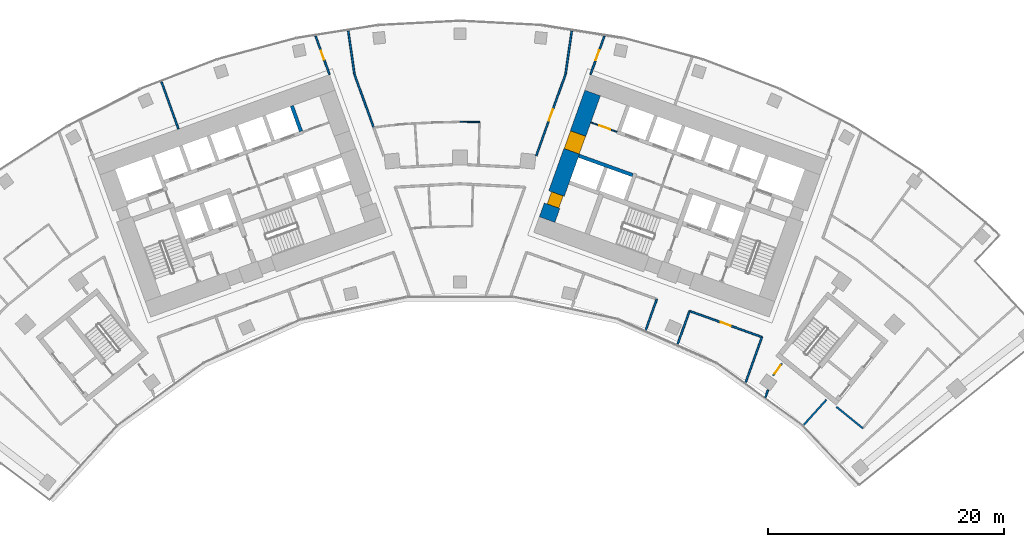
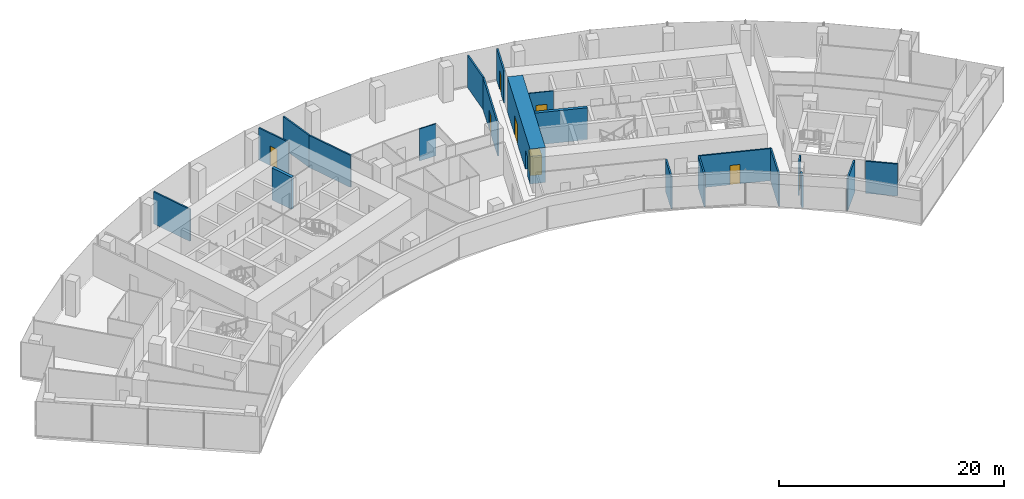
# One storey, part 16 of 21: 20 walls, 8 doors, 8 openings.
"""IFC4 building model written with IfcOpenShell, lengths in metres."""

from ifc_helpers import new_model, si_unit, direction, frame, frame_2d, origin, place, context, subcontext, project, spatial, rectangle, extrude, material, layer, layer_set, type_object, element, fill, save


model = new_model("IFC4")

# Units and contexts
model_context = context("Model", 3, precision=1e-05, world=origin(), true_north=direction((0.0, 1.0)))
body_context = subcontext(model_context, "Body", "Model", "MODEL_VIEW")
ifc_project = project(units=[si_unit("LENGTHUNIT", "METRE"), si_unit("AREAUNIT", "SQUARE_METRE"), si_unit("VOLUMEUNIT", "CUBIC_METRE"), si_unit("PLANEANGLEUNIT", "RADIAN"), si_unit("MASSUNIT", "GRAM", prefix="KILO")], contexts=[model_context])

# Site, building, storey
site_placement = place(None, origin())
site = spatial("IfcSite", under=ifc_project, at=site_placement, CompositionType="ELEMENT")
building_placement = place(site_placement, origin())
building = spatial("IfcBuilding", under=site, at=building_placement, Name="Stone Belt Terrace Tower", CompositionType="ELEMENT")
storey_placement = place(building_placement, frame((0.0, 0.0, 163.0)))
storey = spatial("IfcBuildingStorey", under=building, at=storey_placement, Name="L39", CompositionType="ELEMENT", Elevation=163.0)

# Wall, opening, door
ifc_material_1 = material(Name="Plasterboard partition")
ifc_layer_1 = layer(ifc_material_1, 0.10009765625)
ifc_layer_set_1 = layer_set([ifc_layer_1], Name="Core partition 100")
wall_type_1 = type_object("IfcWallType", Name="Core partition 100", PredefinedType="PARTITIONING", material=ifc_layer_set_1)
wall_1_placement = place(storey_placement, frame((13.29638671875, 57.17529296875, 0.0), z_axis=(0.0, 0.0, 1.0), x_axis=(-0.940904627055, 0.338671644496, 0.0)))
wall_1 = element("IfcWall", 1, at=wall_1_placement, inside=storey, type_object=wall_type_1, Name="Core B wall", PredefinedType="PARTITIONING", context=body_context, shape_type="SweptSolid", body=[
    extrude(rectangle(XDim=2.35009765625, YDim=0.10009765625, at=frame_2d((1.175048828125, 0.0))), origin(), (0.0, 0.0, 1.0), 3.47998046875),
])
opening_1_placement = place(wall_1_placement, frame((0.60009765625, 0.0, 0.0)))
opening_1 = element("IfcOpeningElement", 2, at=opening_1_placement, cuts=wall_1, Name="Opening L39-C14", PredefinedType="OPENING", context=body_context, shape_type="SweptSolid", body=[
    extrude(rectangle(XDim=1.0, YDim=2.10009765625, at=frame_2d((0.5, 1.050048828125))), frame((0.0, 0.06005859375, 0.0), z_axis=(0.0, -1.0, 0.0), x_axis=(1.0, 0.0, 0.0)), (0.0, 0.0, 1.0), 0.1201171875),
])
ifc_material_2 = material(Name="Timber door leaf", Category="wood")
door_type_1 = type_object("IfcDoorType", Name="Core room door 1000", OperationType="SINGLE_SWING_LEFT", PredefinedType="DOOR", material=ifc_material_2)
door_1_placement = place(opening_1_placement, origin())
door_1 = element("IfcDoor", 3, at=door_1_placement, inside=storey, type_object=door_type_1, Name="Door to IT equipment room core B", OperationType="SINGLE_SWING_RIGHT", OverallHeight=2.10009765625, OverallWidth=1.0, PredefinedType="DOOR", context=body_context, shape_type="SweptSolid", body=[
    extrude(rectangle(XDim=1.0, YDim=2.10009765625, at=frame_2d((0.5, 1.050048828125))), frame((0.0, 0.02490234375, 0.0), z_axis=(0.0, -1.0, 0.0), x_axis=(1.0, 0.0, 0.0)), (0.0, 0.0, 1.0), 0.050048828125),
])
fill(opening_1, door_1)

# Wall, openings, doors
ifc_material_3 = material(Name="Concrete B80", Category="concrete")
ifc_layer_2 = layer(ifc_material_3, 1.39990234375)
ifc_layer_set_2 = layer_set([ifc_layer_2], Name="Core wall 1400 B80")
wall_type_2 = type_object("IfcWallType", Name="Core wall 1400 B80", PredefinedType="SHEAR", material=ifc_layer_set_2)
wall_2_placement = place(storey_placement, frame((7.379150390625, 49.73974609375, 0.0), z_axis=(0.0, 0.0, 1.0), x_axis=(0.338625431531, 0.940921259788, 0.0)))
wall_2 = element("IfcWall", 4, at=wall_2_placement, inside=storey, type_object=wall_type_2, Name="Core B wall end_a L39", PredefinedType="SHEAR", context=body_context, shape_type="SweptSolid", body=[
    extrude(rectangle(XDim=11.400146484375, YDim=1.39990234375, at=frame_2d((5.7001953125, 0.0))), origin(), (0.0, 0.0, 1.0), 3.800048828125),
])
opening_2_placement = place(wall_2_placement, frame((6.14990234375, 0.0, 0.0)))
opening_2 = element("IfcOpeningElement", 5, at=opening_2_placement, cuts=wall_2, Name="Opening L39-C20", PredefinedType="OPENING", context=body_context, shape_type="SweptSolid", body=[
    extrude(rectangle(XDim=1.60009765625, YDim=2.10009765625, at=frame_2d((0.800048828125, 1.050048828125))), frame((0.0, 0.7099609375, 0.0), z_axis=(0.0, -1.0, 0.0), x_axis=(1.0, 0.0, 0.0)), (0.0, 0.0, 1.0), 1.419921875),
])
opening_3_placement = place(wall_2_placement, frame((1.25, 0.0, 0.0)))
opening_3 = element("IfcOpeningElement", 6, at=opening_3_placement, cuts=wall_2, Name="Opening L39-C26", PredefinedType="OPENING", context=body_context, shape_type="SweptSolid", body=[
    extrude(rectangle(XDim=1.10009765625, YDim=2.10009765625, at=frame_2d((0.550048828125, 1.050048828125))), frame((0.0, 0.7099609375, 0.0), z_axis=(0.0, -1.0, 0.0), x_axis=(1.0, 0.0, 0.0)), (0.0, 0.0, 1.0), 1.419921875),
])
door_type_2 = type_object("IfcDoorType", Name="Core room door 1100", OperationType="SINGLE_SWING_LEFT", PredefinedType="DOOR", material=ifc_material_2)
door_2_placement = place(opening_3_placement, origin())
door_2 = element("IfcDoor", 7, at=door_2_placement, inside=storey, type_object=door_type_2, Name="Door to Electrical riser room core B", OperationType="SINGLE_SWING_RIGHT", OverallHeight=2.10009765625, OverallWidth=1.10009765625, PredefinedType="DOOR", context=body_context, shape_type="SweptSolid", body=[
    extrude(rectangle(XDim=1.10009765625, YDim=2.10009765625, at=frame_2d((0.550048828125, 1.050048828125))), frame((0.0, 0.44482421875, 0.0), z_axis=(0.0, -1.0, 0.0), x_axis=(1.0, 0.0, 0.0)), (0.0, 0.0, 1.0), 1.050048828125),
])
fill(opening_3, door_2)
ifc_material_4 = material(Name="Glazed aluminium door leaf", Category="aluminium")
door_type_3 = type_object("IfcDoorType", Name="Lift lobby entrance door 1600", OperationType="DOUBLE_DOOR_SINGLE_SWING", PredefinedType="DOOR", material=ifc_material_4)
door_3_placement = place(opening_2_placement, origin())
door_3 = element("IfcDoor", 8, at=door_3_placement, inside=storey, type_object=door_type_3, Name="Lift lobby entrance door core B", OperationType="DOUBLE_DOOR_SINGLE_SWING", OverallHeight=2.10009765625, OverallWidth=1.60009765625, PredefinedType="DOOR", context=body_context, shape_type="SweptSolid", body=[
    extrude(rectangle(XDim=1.60009765625, YDim=2.10009765625, at=frame_2d((0.800048828125, 1.050048828125))), frame((0.0, 0.68017578125, 0.0), z_axis=(0.0, -1.0, 0.0), x_axis=(1.0, 0.0, 0.0)), (0.0, 0.0, 1.0), 1.360107421875),
])
fill(opening_2, door_3)

# Walls
ifc_layer_3 = layer(ifc_material_3, 0.300048828125)
ifc_layer_set_3 = layer_set([ifc_layer_3], Name="Lift shaft wall 300")
wall_type_3 = type_object("IfcWallType", Name="Lift shaft wall 300", PredefinedType="SHEAR", material=ifc_layer_set_3)
wall_3_placement = place(storey_placement, frame((-13.471435546875, 57.218505859375, 0.0), z_axis=(0.0, 0.0, 1.0), x_axis=(-0.338587917, 0.940934759939, 0.0)))
element("IfcWall", 9, at=wall_3_placement, inside=storey, type_object=wall_type_3, Name="Core A wall", PredefinedType="SHEAR", context=body_context, shape_type="SweptSolid", body=[
    extrude(rectangle(XDim=2.300048828125, YDim=0.300048828125, at=frame_2d((1.14990234375, 0.0))), origin(), (0.0, 0.0, 1.0), 3.47998046875),
])
wall_4_placement = place(storey_placement, frame((14.6328125, 53.506103515625, 0.0), z_axis=(0.0, 0.0, 1.0), x_axis=(-0.940931684323, 0.338596464007, 0.0)))
element("IfcWall", 10, at=wall_4_placement, inside=storey, type_object=wall_type_3, Name="Core B wall", PredefinedType="SHEAR", context=body_context, shape_type="SweptSolid", body=[
    extrude(rectangle(XDim=4.849609375, YDim=0.300048828125, at=frame_2d((2.4248046875, 0.0))), origin(), (0.0, 0.0, 1.0), 3.47998046875),
])
ifc_material_5 = material(Name="Gypsum board partition")
ifc_layer_4 = layer(ifc_material_5, 0.10009765625)
ifc_layer_set_4 = layer_set([ifc_layer_4], Name="PARTITION 100")
wall_type_4 = type_object("IfcWallType", Name="PARTITION 100", PredefinedType="PARTITIONING", material=ifc_layer_set_4)
wall_5_placement = place(storey_placement, frame((1.659912109375, 58.0009765625, 0.0), z_axis=(0.0, 0.0, 1.0), x_axis=(-0.999896136152, 0.014412387313, 0.0)))
element("IfcWall", 11, at=wall_5_placement, inside=storey, type_object=wall_type_4, Name="L39/wall/i099", PredefinedType="PARTITIONING", context=body_context, shape_type="SweptSolid", body=[
    extrude(rectangle(XDim=1.66015625, YDim=0.10009765625, at=frame_2d((0.830078125, 0.0))), origin(), (0.0, 0.0, 1.0), 3.47998046875),
])

# Wall, opening, door
ifc_layer_5 = layer(ifc_material_5, 0.14990234375)
ifc_layer_set_5 = layer_set([ifc_layer_5], Name="PARTITION 150 EI 60")
wall_type_5 = type_object("IfcWallType", Name="PARTITION 150 EI 60", PredefinedType="PARTITIONING", material=ifc_layer_set_5)
wall_6_placement = place(storey_placement, frame((-11.054931640625, 62.02099609375, 0.0), z_axis=(0.0, 0.0, 1.0), x_axis=(-0.338942963923, 0.940806923448, 0.0)))
wall_6 = element("IfcWall", 12, at=wall_6_placement, inside=storey, type_object=wall_type_5, Name="L39/wall/i008", PredefinedType="PARTITIONING", context=body_context, shape_type="SweptSolid", body=[
    extrude(rectangle(XDim=3.481201171875, YDim=0.14990234375, at=frame_2d((1.74072265625, 0.0))), origin(), (0.0, 0.0, 1.0), 3.47998046875),
])
opening_4_placement = place(wall_6_placement, frame((1.340576171875, 0.0, 0.0)))
opening_4 = element("IfcOpeningElement", 13, at=opening_4_placement, cuts=wall_6, Name="Opening D-C2-06", PredefinedType="OPENING", context=body_context, shape_type="SweptSolid", body=[
    extrude(rectangle(XDim=0.800048828125, YDim=2.10009765625, at=frame_2d((0.39990234375, 1.050048828125))), frame((0.0, 0.0849609375, 0.0), z_axis=(0.0, -1.0, 0.0), x_axis=(1.0, 0.0, 0.0)), (0.0, 0.0, 1.0), 0.169921875),
])
door_type_4 = type_object("IfcDoorType", Name="STORE DOOR 800 X 2100", OperationType="NOTDEFINED", PredefinedType="DOOR", material=ifc_material_2)
door_4_placement = place(opening_4_placement, origin())
door_4 = element("IfcDoor", 14, at=door_4_placement, inside=storey, type_object=door_type_4, Name="L39/door/i06", OperationType="SINGLE_SWING_RIGHT", OverallHeight=2.10009765625, OverallWidth=0.800048828125, PredefinedType="DOOR", context=body_context, shape_type="SweptSolid", body=[
    extrude(rectangle(XDim=0.800048828125, YDim=2.10009765625, at=frame_2d((0.39990234375, 1.050048828125))), frame((0.0, 0.02490234375, 0.0), z_axis=(0.0, -1.0, 0.0), x_axis=(1.0, 0.0, 0.0)), (0.0, 0.0, 1.0), 0.050048828125),
])
fill(opening_4, door_4)

# Walls
wall_7_placement = place(storey_placement, frame((-9.47021484375, 65.736083984375, 0.0), z_axis=(0.0, 0.0, 1.0), x_axis=(0.14267653425, -0.989769370396, 0.0)))
element("IfcWall", 15, at=wall_7_placement, inside=storey, type_object=wall_type_5, Name="L39/wall/i011", PredefinedType="PARTITIONING", context=body_context, shape_type="SweptSolid", body=[
    extrude(rectangle(XDim=3.730224609375, YDim=0.14990234375, at=frame_2d((1.865234375, 0.0))), origin(), (0.0, 0.0, 1.0), 3.47998046875),
])
wall_8_placement = place(storey_placement, frame((-8.93798828125, 62.04296875, 0.0), z_axis=(0.0, 0.0, 1.0), x_axis=(0.338681584055, -0.940901049326, 0.0)))
element("IfcWall", 16, at=wall_8_placement, inside=storey, type_object=wall_type_5, Name="L39/wall/i012", PredefinedType="PARTITIONING", context=body_context, shape_type="SweptSolid", body=[
    extrude(rectangle(XDim=4.792236328125, YDim=0.14990234375, at=frame_2d((2.39599609375, 0.0))), origin(), (0.0, 0.0, 1.0), 3.47998046875),
])
wall_9_placement = place(storey_placement, frame((-25.2978515625, 61.422119140625, 0.0), z_axis=(0.0, 0.0, 1.0), x_axis=(0.33871337989, -0.940889603664, 0.0)))
element("IfcWall", 17, at=wall_9_placement, inside=storey, type_object=wall_type_5, Name="L39/wall/i021", PredefinedType="PARTITIONING", context=body_context, shape_type="SweptSolid", body=[
    extrude(rectangle(XDim=4.259765625, YDim=0.14990234375, at=frame_2d((2.1298828125, 0.0))), origin(), (0.0, 0.0, 1.0), 3.47998046875),
])

# Wall, opening, door
wall_10_placement = place(storey_placement, frame((12.23486328125, 65.296142578125, 0.0), z_axis=(0.0, 0.0, 1.0), x_axis=(-0.338942963923, -0.940806923448, 0.0)))
wall_10 = element("IfcWall", 18, at=wall_10_placement, inside=storey, type_object=wall_type_5, Name="L39/wall/i023", PredefinedType="PARTITIONING", context=body_context, shape_type="SweptSolid", body=[
    extrude(rectangle(XDim=3.481201171875, YDim=0.14990234375, at=frame_2d((1.74072265625, 0.0))), origin(), (0.0, 0.0, 1.0), 3.47998046875),
])
opening_5_placement = place(wall_10_placement, frame((1.29052734375, 0.0, 0.0)))
opening_5 = element("IfcOpeningElement", 19, at=opening_5_placement, cuts=wall_10, Name="Opening D-C2-10", PredefinedType="OPENING", context=body_context, shape_type="SweptSolid", body=[
    extrude(rectangle(XDim=0.89990234375, YDim=2.10009765625, at=frame_2d((0.449951171875, 1.050048828125))), frame((0.0, 0.0849609375, 0.0), z_axis=(0.0, -1.0, 0.0), x_axis=(1.0, 0.0, 0.0)), (0.0, 0.0, 1.0), 0.169921875),
])
door_type_5 = type_object("IfcDoorType", Name="OFFICE DOOR 900 X 2100", OperationType="NOTDEFINED", PredefinedType="DOOR", material=ifc_material_2)
door_5_placement = place(opening_5_placement, origin())
door_5 = element("IfcDoor", 20, at=door_5_placement, inside=storey, type_object=door_type_5, Name="L39/door/i10", OperationType="SINGLE_SWING_RIGHT", OverallHeight=2.10009765625, OverallWidth=0.89990234375, PredefinedType="DOOR", context=body_context, shape_type="SweptSolid", body=[
    extrude(rectangle(XDim=0.89990234375, YDim=2.10009765625, at=frame_2d((0.449951171875, 1.050048828125))), frame((0.0, 0.02490234375, 0.0), z_axis=(0.0, -1.0, 0.0), x_axis=(1.0, 0.0, 0.0)), (0.0, 0.0, 1.0), 0.050048828125),
])
fill(opening_5, door_5)

wall_11_placement = place(storey_placement, frame((6.4541015625, 55.140625, 0.0), z_axis=(0.0, 0.0, 1.0), x_axis=(0.338603971116, 0.940928982838, 0.0)))
wall_11 = element("IfcWall", 21, at=wall_11_placement, inside=storey, type_object=wall_type_5, Name="L39/wall/i025", PredefinedType="PARTITIONING", context=body_context, shape_type="SweptSolid", body=[
    extrude(rectangle(XDim=7.335693359375, YDim=0.14990234375, at=frame_2d((3.66796875, 0.0))), origin(), (0.0, 0.0, 1.0), 3.47998046875),
])
opening_6_placement = place(wall_11_placement, frame((3.16796875, 0.0, 0.0)))
opening_6 = element("IfcOpeningElement", 22, at=opening_6_placement, cuts=wall_11, Name="Opening D-C2-30", PredefinedType="OPENING", context=body_context, shape_type="SweptSolid", body=[
    extrude(rectangle(XDim=1.0, YDim=2.10009765625, at=frame_2d((0.5, 1.050048828125))), frame((0.0, 0.0849609375, 0.0), z_axis=(0.0, -1.0, 0.0), x_axis=(1.0, 0.0, 0.0)), (0.0, 0.0, 1.0), 0.169921875),
])
ifc_material_6 = material(Name="Timber fire door leaf", Category="wood")
door_type_6 = type_object("IfcDoorType", Name="TENANCY ENTRANCE DOOR 1000 X 2100", OperationType="NOTDEFINED", PredefinedType="DOOR", material=ifc_material_6)
door_6_placement = place(opening_6_placement, origin())
door_6 = element("IfcDoor", 23, at=door_6_placement, inside=storey, type_object=door_type_6, Name="L39/door/i30", OperationType="SINGLE_SWING_RIGHT", OverallHeight=2.10009765625, OverallWidth=1.0, PredefinedType="DOOR", context=body_context, shape_type="SweptSolid", body=[
    extrude(rectangle(XDim=1.0, YDim=2.10009765625, at=frame_2d((0.5, 1.050048828125))), frame((0.0, 0.02490234375, 0.0), z_axis=(0.0, -1.0, 0.0), x_axis=(1.0, 0.0, 0.0)), (0.0, 0.0, 1.0), 0.050048828125),
])
fill(opening_6, door_6)

# Walls
wall_12_placement = place(storey_placement, frame((8.93798828125, 62.0439453125, 0.0), z_axis=(0.0, 0.0, 1.0), x_axis=(0.14267653425, 0.989769370396, 0.0)))
element("IfcWall", 24, at=wall_12_placement, inside=storey, type_object=wall_type_5, Name="L39/wall/i026", PredefinedType="PARTITIONING", context=body_context, shape_type="SweptSolid", body=[
    extrude(rectangle(XDim=3.730224609375, YDim=0.14990234375, at=frame_2d((1.865234375, 0.0))), origin(), (0.0, 0.0, 1.0), 3.47998046875),
])
wall_13_placement = place(storey_placement, frame((24.18603515625, 35.902099609375, 0.0), z_axis=(0.0, 0.0, 1.0), x_axis=(0.338545933013, 0.940949866486, 0.0)))
element("IfcWall", 25, at=wall_13_placement, inside=storey, type_object=wall_type_5, Name="L39/wall/i027", PredefinedType="PARTITIONING", context=body_context, shape_type="SweptSolid", body=[
    extrude(rectangle(XDim=4.135009765625, YDim=0.14990234375, at=frame_2d((2.0673828125, 0.0))), origin(), (0.0, 0.0, 1.0), 3.47998046875),
])

# Wall, opening, door
wall_14_placement = place(storey_placement, frame((27.282958984375, 37.552001953125, 0.0), z_axis=(0.0, 0.0, 1.0), x_axis=(-0.587851817093, -0.808968628032, 0.0)))
wall_14 = element("IfcWall", 26, at=wall_14_placement, inside=storey, type_object=wall_type_5, Name="L39/wall/i030", PredefinedType="PARTITIONING", context=body_context, shape_type="SweptSolid", body=[
    extrude(rectangle(XDim=1.270751953125, YDim=0.14990234375, at=frame_2d((0.63525390625, 0.0))), origin(), (0.0, 0.0, 1.0), 3.47998046875),
])
opening_7_placement = place(wall_14_placement, frame((0.185302734375, 0.0, 0.0)))
opening_7 = element("IfcOpeningElement", 27, at=opening_7_placement, cuts=wall_14, Name="Opening D-C2-21", PredefinedType="OPENING", context=body_context, shape_type="SweptSolid", body=[
    extrude(rectangle(XDim=0.89990234375, YDim=2.10009765625, at=frame_2d((0.449951171875, 1.050048828125))), frame((0.0, 0.0849609375, 0.0), z_axis=(0.0, -1.0, 0.0), x_axis=(1.0, 0.0, 0.0)), (0.0, 0.0, 1.0), 0.169921875),
])
door_type_7 = type_object("IfcDoorType", Name="TENANCY ENTRANCE DOOR 900 X 2100", OperationType="NOTDEFINED", PredefinedType="DOOR", material=ifc_material_6)
door_7_placement = place(opening_7_placement, origin())
door_7 = element("IfcDoor", 28, at=door_7_placement, inside=storey, type_object=door_type_7, Name="L39/door/i21", OperationType="SINGLE_SWING_RIGHT", OverallHeight=2.10009765625, OverallWidth=0.89990234375, PredefinedType="DOOR", context=body_context, shape_type="SweptSolid", body=[
    extrude(rectangle(XDim=0.89990234375, YDim=2.10009765625, at=frame_2d((0.449951171875, 1.050048828125))), frame((0.0, 0.02490234375, 0.0), z_axis=(0.0, -1.0, 0.0), x_axis=(1.0, 0.0, 0.0)), (0.0, 0.0, 1.0), 0.050048828125),
])
fill(opening_7, door_7)

# Walls
wall_15_placement = place(storey_placement, frame((26.101318359375, 35.318115234375, 0.0), z_axis=(0.0, 0.0, 1.0), x_axis=(-0.339176971689, -0.940722584972, 0.0)))
element("IfcWall", 29, at=wall_15_placement, inside=storey, type_object=wall_type_5, Name="L39/wall/i031", PredefinedType="PARTITIONING", context=body_context, shape_type="SweptSolid", body=[
    extrude(rectangle(XDim=0.68017578125, YDim=0.14990234375, at=frame_2d((0.340087890625, 0.0))), origin(), (0.0, 0.0, 1.0), 3.47998046875),
])
wall_16_placement = place(storey_placement, frame((15.725341796875, 40.3544921875, 0.0), z_axis=(0.0, 0.0, 1.0), x_axis=(0.338592964113, 0.94093294376, 0.0)))
element("IfcWall", 30, at=wall_16_placement, inside=storey, type_object=wall_type_5, Name="L39/wall/i035", PredefinedType="PARTITIONING", context=body_context, shape_type="SweptSolid", body=[
    extrude(rectangle(XDim=2.802001953125, YDim=0.14990234375, at=frame_2d((1.40087890625, 0.0))), origin(), (0.0, 0.0, 1.0), 3.47998046875),
])

# Wall, opening, door
wall_17_placement = place(storey_placement, frame((25.5830078125, 39.787109375, 0.0), z_axis=(0.0, 0.0, 1.0), x_axis=(-0.940941833502, 0.338568258948, 0.0)))
wall_17 = element("IfcWall", 31, at=wall_17_placement, inside=storey, type_object=wall_type_5, Name="L39/wall/i037", PredefinedType="PARTITIONING", context=body_context, shape_type="SweptSolid", body=[
    extrude(rectangle(XDim=6.51806640625, YDim=0.14990234375, at=frame_2d((3.259033203125, 0.0))), origin(), (0.0, 0.0, 1.0), 3.47998046875),
])
opening_8_placement = place(wall_17_placement, frame((2.80908203125, 0.0, 0.0)))
opening_8 = element("IfcOpeningElement", 32, at=opening_8_placement, cuts=wall_17, Name="Opening D-C2-09", PredefinedType="OPENING", context=body_context, shape_type="SweptSolid", body=[
    extrude(rectangle(XDim=0.89990234375, YDim=2.10009765625, at=frame_2d((0.449951171875, 1.050048828125))), frame((0.0, 0.0849609375, 0.0), z_axis=(0.0, -1.0, 0.0), x_axis=(1.0, 0.0, 0.0)), (0.0, 0.0, 1.0), 0.169921875),
])
door_8_placement = place(opening_8_placement, origin())
door_8 = element("IfcDoor", 33, at=door_8_placement, inside=storey, type_object=door_type_5, Name="L39/door/i09", OperationType="SINGLE_SWING_RIGHT", OverallHeight=2.10009765625, OverallWidth=0.89990234375, PredefinedType="DOOR", context=body_context, shape_type="SweptSolid", body=[
    extrude(rectangle(XDim=0.89990234375, YDim=2.10009765625, at=frame_2d((0.449951171875, 1.050048828125))), frame((0.0, 0.02490234375, 0.0), z_axis=(0.0, -1.0, 0.0), x_axis=(1.0, 0.0, 0.0)), (0.0, 0.0, 1.0), 0.050048828125),
])
fill(opening_8, door_8)

# Walls
wall_18_placement = place(storey_placement, frame((19.447021484375, 41.992919921875, 0.0), z_axis=(0.0, 0.0, 1.0), x_axis=(-0.338702285255, -0.940893597578, 0.0)))
element("IfcWall", 34, at=wall_18_placement, inside=storey, type_object=wall_type_5, Name="L39/wall/i038", PredefinedType="PARTITIONING", context=body_context, shape_type="SweptSolid", body=[
    extrude(rectangle(XDim=3.018798828125, YDim=0.14990234375, at=frame_2d((1.50927734375, 0.0))), origin(), (0.0, 0.0, 1.0), 3.47998046875),
])
wall_19_placement = place(storey_placement, frame((34.133056640625, 32.055908203125, 0.0), z_axis=(0.0, 0.0, 1.0), x_axis=(-0.776369956068, 0.630277471686, 0.0)))
element("IfcWall", 35, at=wall_19_placement, inside=storey, type_object=wall_type_5, Name="L39/wall/i072", PredefinedType="PARTITIONING", context=body_context, shape_type="SweptSolid", body=[
    extrude(rectangle(XDim=2.8876953125, YDim=0.14990234375, at=frame_2d((1.44384765625, 0.0))), origin(), (0.0, 0.0, 1.0), 3.47998046875),
])
wall_20_placement = place(storey_placement, frame((31.054931640625, 34.489990234375, 0.0), z_axis=(0.0, 0.0, 1.0), x_axis=(-0.669108362487, -0.743164853347, 0.0)))
element("IfcWall", 36, at=wall_20_placement, inside=storey, type_object=wall_type_5, Name="L39/wall/i073", PredefinedType="PARTITIONING", context=body_context, shape_type="SweptSolid", body=[
    extrude(rectangle(XDim=2.910888671875, YDim=0.14990234375, at=frame_2d((1.45556640625, 0.0))), origin(), (0.0, 0.0, 1.0), 3.47998046875),
])

save(model, "model.ifc")
